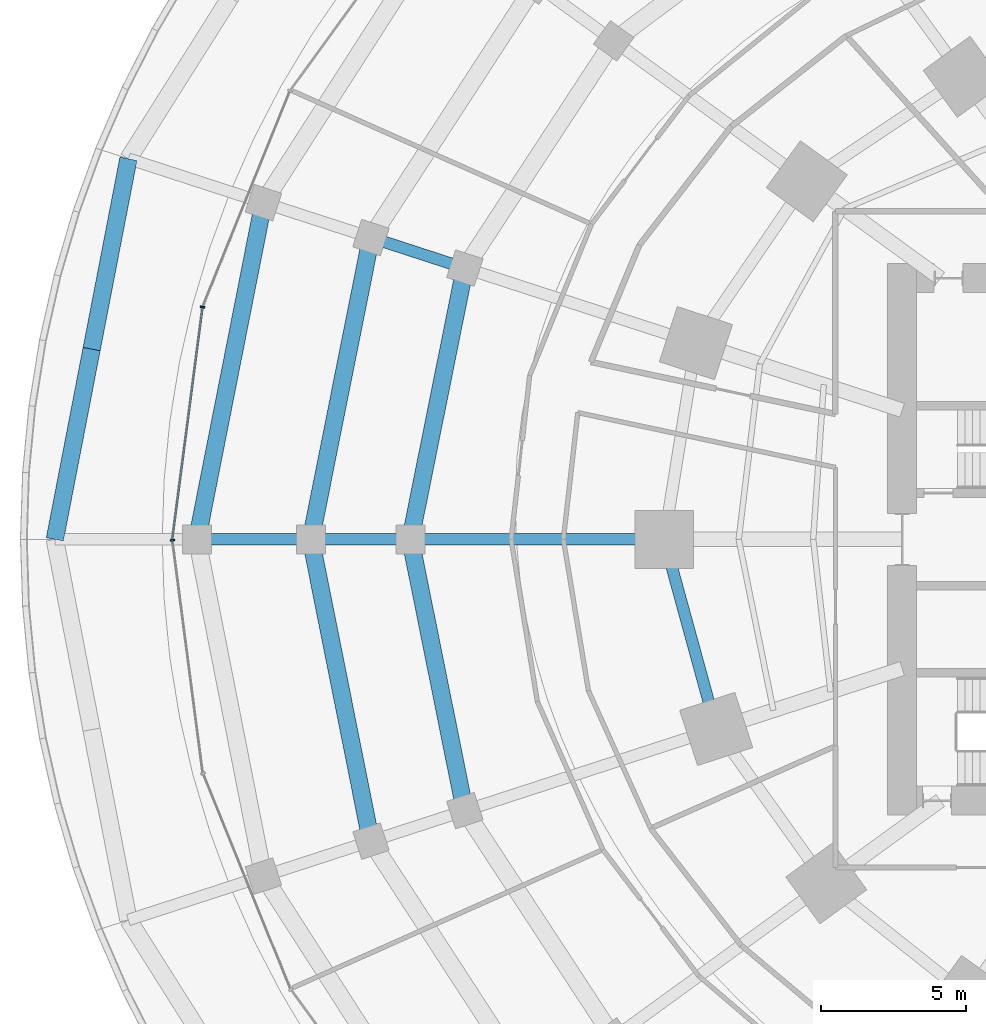
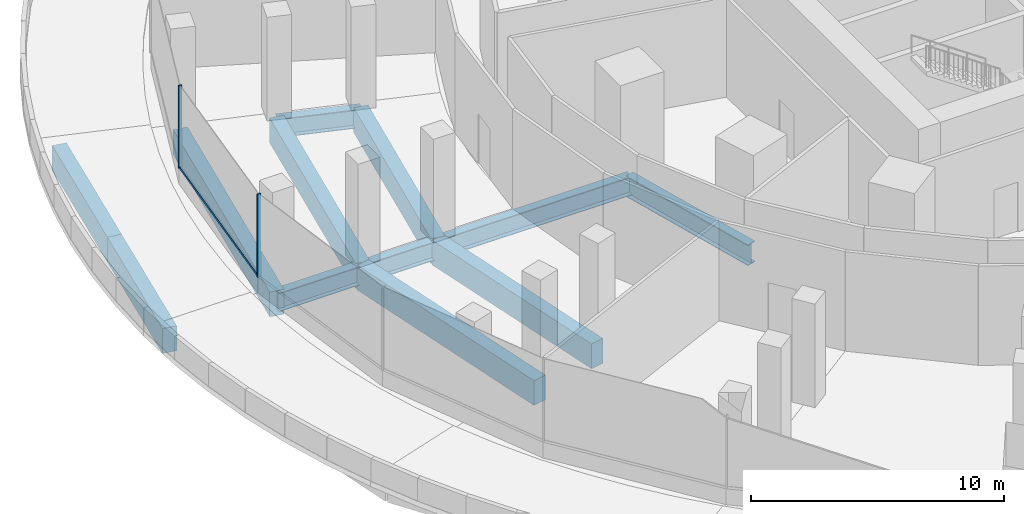
# One storey, part 8 of 31: 12 beams, 3 members, 2 elements without a shape of their own.
"""IFC4 building model written with IfcOpenShell, lengths in metres."""

from ifc_helpers import new_model, si_unit, direction, frame, origin, origin_2d, place, context, subcontext, project, spatial, rectangle, i_section, extrude, material, material_profile, profile_set, type_object, element, aggregate, save


model = new_model("IFC4")

# Units and contexts
model_context = context("Model", 3, precision=1e-05, world=origin(), true_north=direction((0.0, 1.0)))
body_context = subcontext(model_context, "Body", "Model", "MODEL_VIEW")
ifc_project = project(units=[si_unit("LENGTHUNIT", "METRE"), si_unit("AREAUNIT", "SQUARE_METRE"), si_unit("VOLUMEUNIT", "CUBIC_METRE"), si_unit("PLANEANGLEUNIT", "RADIAN"), si_unit("MASSUNIT", "GRAM", prefix="KILO")], contexts=[model_context])

# Site, building, storey
site_placement = place(None, origin())
site = spatial("IfcSite", under=ifc_project, at=site_placement, CompositionType="ELEMENT")
building_placement = place(site_placement, origin())
building = spatial("IfcBuilding", under=site, at=building_placement, Name="Marramba Exchange Tower", CompositionType="ELEMENT")
storey_placement = place(building_placement, frame((0.0, 0.0, 5.60009765625)))
storey = spatial("IfcBuildingStorey", under=building, at=storey_placement, Name="L01", CompositionType="ELEMENT", Elevation=5.60009765625)

# Beams
ifc_material_1 = material(Name="Concrete N50", Category="concrete")
ifc_material_profile_1 = material_profile(ifc_material_1, rectangle(XDim=0.60009765625, YDim=1.199951171875, at=origin_2d()), Name="RC 600x1200")
ifc_profile_set_1 = profile_set([ifc_material_profile_1], Name="Concrete N50")
beam_type_1 = type_object("IfcBeamType", Name="Edge beam RC 600x1200 N50", PredefinedType="SPANDREL", material=ifc_profile_set_1)
for number, where, z_axis, x_axis, name in (
    (1, (-40.36328125, 13.11474609375, -0.85009765625), (-0.189898017432, -0.981803821023, 0.0), (0.981803821023, -0.189898017432, 0.0), "Edge beam L01 P0C10 half 1"),
    (2, (-41.631591796875, 6.557373046875, -0.85009765625), (-0.189898017432, -0.981803821023, 0.0), (0.981803821023, -0.189898017432, 0.0), "Edge beam L01 P0C10 half 2"),
):
    element("IfcBeam", number, at=place(storey_placement, frame(where, z_axis=z_axis, x_axis=x_axis)), inside=storey, type_object=beam_type_1, Name=name, PredefinedType="SPANDREL", context=body_context, shape_type="SweptSolid", body=[
        extrude(rectangle(XDim=0.60009765625, YDim=1.199951171875, at=origin_2d()), origin(), (0.0, 0.0, 1.0), 6.678955078125),
    ])
beam_1_placement = place(storey_placement, frame((-35.712158203125, 11.603515625, -0.800048828125), z_axis=(-0.19344375153, -0.981111367274, 0.0), x_axis=(0.981111367274, -0.19344375153, 0.0)))
element("IfcBeam", 3, at=beam_1_placement, inside=storey, type_object=beam_type_1, Name="Edge beam L01 P1C10", PredefinedType="SPANDREL", context=body_context, shape_type="SweptSolid", body=[
    extrude(rectangle(XDim=0.60009765625, YDim=1.199951171875, at=origin_2d()), origin(), (0.0, 0.0, 1.0), 11.826904296875),
])
for number, where, z_axis, x_axis, name in (
    (4, (-32.005126953125, 10.399169921875, -0.800048828125), (-0.195673363142, -0.980669126136, 0.0), (0.980669126136, -0.195673363142, 0.0), "Edge beam L01 P2C10"),
    (5, (-34.080078125, 0.0, -0.800048828125), (0.195673363142, -0.980669126136, 0.0), (0.980669126136, 0.195673363142, 0.0), "Edge beam L01 P2C11"),
):
    element("IfcBeam", number, at=place(storey_placement, frame(where, z_axis=z_axis, x_axis=x_axis)), inside=storey, type_object=beam_type_1, Name=name, PredefinedType="SPANDREL", context=body_context, shape_type="SweptSolid", body=[
        extrude(rectangle(XDim=0.60009765625, YDim=1.199951171875, at=origin_2d()), origin(), (0.0, 0.0, 1.0), 10.604248046875),
    ])
for number, where, z_axis, x_axis, name in (
    (6, (-28.770263671875, 9.34814453125, -0.800048828125), (-0.197125420847, -0.980378278246, 0.0), (0.980378278246, -0.197125420847, 0.0), "Edge beam L01 P3C10"),
    (7, (-30.64990234375, 0.0, -0.800048828125), (0.197125420847, -0.980378278246, 0.0), (0.980378278246, 0.197125420847, 0.0), "Edge beam L01 P3C11"),
):
    element("IfcBeam", number, at=place(storey_placement, frame(where, z_axis=z_axis, x_axis=x_axis)), inside=storey, type_object=beam_type_1, Name=name, PredefinedType="SPANDREL", context=body_context, shape_type="SweptSolid", body=[
        extrude(rectangle(XDim=0.60009765625, YDim=1.199951171875, at=origin_2d()), origin(), (0.0, 0.0, 1.0), 9.53515625),
    ])

# Curtain wall, member
ifc_material_2 = material(Name="Aluminium framing, bronze anodised", Category="aluminium")
curtain_wall_type = type_object("IfcCurtainWallType", Name="Podium ribbon curtain wall", PredefinedType="USERDEFINED", material=ifc_material_2)
curtain_wall_1_placement = place(storey_placement, origin())
curtain_wall_1 = element("IfcCurtainWall", 8, at=curtain_wall_1_placement, inside=storey, type_object=curtain_wall_type, Name="Curtain wall CW2 L01 F11-F15", ObjectType="RIBBON CURTAIN WALL", PredefinedType="USERDEFINED")
ifc_material_3 = material(Name="Aluminium mullion, bronze anodised", Category="aluminium")
ifc_material_profile_2 = material_profile(ifc_material_3, rectangle(XDim=0.159912109375, YDim=0.06005859375, at=origin_2d()), Name="CW2 mullion 60x160")
ifc_profile_set_2 = profile_set([ifc_material_profile_2], Name="Aluminium mullion, bronze anodised")
member_type_1 = type_object("IfcMemberType", Name="Podium ribbon curtain wall mullion", PredefinedType="MULLION", material=ifc_profile_set_2)
member_1_placement = place(storey_placement, frame((-37.804931640625, 8.005126953125, 0.7998046875), z_axis=(0.0, 0.0, 1.0), x_axis=(0.991586925399, -0.129442533112, 0.0)))
member_1 = element("IfcMember", 9, at=member_1_placement, type_object=member_type_1, Name="CW2 mullion 1", PredefinedType="MULLION", context=body_context, shape_type="SweptSolid", body=[
    extrude(rectangle(XDim=0.159912109375, YDim=0.06005859375, at=origin_2d()), origin(), (0.0, 0.0, 1.0), 4.0),
])

curtain_wall_2_placement = place(storey_placement, origin())
curtain_wall_2 = element("IfcCurtainWall", 10, at=curtain_wall_2_placement, inside=storey, type_object=curtain_wall_type, Name="Curtain wall CW2 L01 F16-F20", ObjectType="RIBBON CURTAIN WALL", PredefinedType="USERDEFINED")
member_2_placement = place(storey_placement, frame((-38.84619140625, -0.02978515625, 0.7998046875), z_axis=(0.0, 0.0, 1.0), x_axis=(0.991586925399, 0.129442533112, 0.0)))
member_2 = element("IfcMember", 11, at=member_2_placement, type_object=member_type_1, Name="CW2 mullion 1", PredefinedType="MULLION", context=body_context, shape_type="SweptSolid", body=[
    extrude(rectangle(XDim=0.159912109375, YDim=0.06005859375, at=origin_2d()), origin(), (0.0, 0.0, 1.0), 4.0),
])
aggregate(curtain_wall_2, [member_2])

# Member
ifc_material_4 = material(Name="Aluminium transom, bronze anodised", Category="aluminium")
ifc_material_profile_3 = material_profile(ifc_material_4, rectangle(XDim=0.06005859375, YDim=0.1201171875, at=origin_2d()), Name="CW2 transom 60x120")
ifc_profile_set_3 = profile_set([ifc_material_profile_3], Name="Aluminium transom, bronze anodised")
member_type_2 = type_object("IfcMemberType", Name="Podium ribbon curtain wall transom", PredefinedType="USERDEFINED", material=ifc_profile_set_3)
member_3_placement = place(storey_placement, frame((-37.808837890625, 7.975341796875, 0.829833984375), z_axis=(-0.129461164566, -0.991584493056, 0.0), x_axis=(0.991584493056, -0.129461164566, 0.0)))
member_3 = element("IfcMember", 12, at=member_3_placement, type_object=member_type_2, Name="CW2 sill transom", ObjectType="TRANSOM", PredefinedType="USERDEFINED", context=body_context, shape_type="SweptSolid", body=[
    extrude(rectangle(XDim=0.06005859375, YDim=0.1201171875, at=origin_2d()), origin(), (0.0, 0.0, 1.0), 8.04296875),
])

aggregate(curtain_wall_1, [member_1, member_3])

# Beams
ifc_material_5 = material(Name="Steel AS/NZS 3679.2 grade 300", Category="steel")
ifc_material_profile_4 = material_profile(ifc_material_5, i_section(OverallWidth=0.39990234375, OverallDepth=0.89990234375, WebThickness=0.01611328125, FlangeThickness=0.031982421875, at=origin_2d()), Name="900WB282")
ifc_profile_set_4 = profile_set([ifc_material_profile_4], Name="Steel AS/NZS 3679.2 grade 300")
beam_type_2 = type_object("IfcBeamType", Name="Radial girder 900WB282", PredefinedType="BEAM", material=ifc_profile_set_4)
beam_2_placement = place(storey_placement, frame((-38.0, 0.0, -0.650146484375), z_axis=(1.0, 0.0, 0.0), x_axis=(0.0, 1.0, 0.0)))
element("IfcBeam", 13, at=beam_2_placement, inside=storey, type_object=beam_type_2, Name="Radial girder L01 P1C11", PredefinedType="BEAM", context=body_context, shape_type="SweptSolid", body=[
    extrude(i_section(OverallWidth=0.39990234375, OverallDepth=0.89990234375, WebThickness=0.01611328125, FlangeThickness=0.031982421875, at=origin_2d()), origin(), (0.0, 0.0, 1.0), 3.919921875),
])
beam_3_placement = place(storey_placement, frame((-32.005126953125, 10.399169921875, -0.650146484375), z_axis=(0.951060439376, -0.309004920114, 0.0), x_axis=(0.309004920114, 0.951060439376, 0.0)))
element("IfcBeam", 14, at=beam_3_placement, inside=storey, type_object=beam_type_2, Name="Radial girder L01 P2C10", PredefinedType="BEAM", context=body_context, shape_type="SweptSolid", body=[
    extrude(i_section(OverallWidth=0.39990234375, OverallDepth=0.89990234375, WebThickness=0.01611328125, FlangeThickness=0.031982421875, at=origin_2d()), origin(), (0.0, 0.0, 1.0), 3.4013671875),
])
beam_4_placement = place(storey_placement, frame((-34.080078125, 0.0, -0.650146484375), z_axis=(1.0, 0.0, 0.0), x_axis=(0.0, 1.0, 0.0)))
element("IfcBeam", 15, at=beam_4_placement, inside=storey, type_object=beam_type_2, Name="Radial girder L01 P2C11", PredefinedType="BEAM", context=body_context, shape_type="SweptSolid", body=[
    extrude(i_section(OverallWidth=0.39990234375, OverallDepth=0.89990234375, WebThickness=0.01611328125, FlangeThickness=0.031982421875, at=origin_2d()), origin(), (0.0, 0.0, 1.0), 3.43017578125),
])
beam_5_placement = place(storey_placement, frame((-30.64990234375, 0.0, -0.650146484375), z_axis=(1.0, 0.0, 0.0), x_axis=(0.0, 1.0, 0.0)))
element("IfcBeam", 16, at=beam_5_placement, inside=storey, type_object=beam_type_2, Name="Radial girder L01 P3C11", PredefinedType="BEAM", context=body_context, shape_type="SweptSolid", body=[
    extrude(i_section(OverallWidth=0.39990234375, OverallDepth=0.89990234375, WebThickness=0.01611328125, FlangeThickness=0.031982421875, at=origin_2d()), origin(), (0.0, 0.0, 1.0), 8.75),
])
ifc_material_profile_5 = material_profile(ifc_material_5, i_section(OverallWidth=0.39990234375, OverallDepth=1.0, WebThickness=0.01611328125, FlangeThickness=0.031982421875, at=origin_2d()), Name="1000WB322")
ifc_profile_set_5 = profile_set([ifc_material_profile_5], Name="Steel AS/NZS 3679.2 grade 300")
beam_type_3 = type_object("IfcBeamType", Name="Ring beam 1000WB322", PredefinedType="SPANDREL", material=ifc_profile_set_5)
beam_6_placement = place(storey_placement, frame((-21.89990234375, 0.0, -0.7001953125), z_axis=(0.264291166956, -0.964442937176, 0.0), x_axis=(0.964442937176, 0.264291166956, 0.0)))
element("IfcBeam", 17, at=beam_6_placement, inside=storey, type_object=beam_type_3, Name="Ring beam L01 TC11-TC12", PredefinedType="SPANDREL", context=body_context, shape_type="SweptSolid", body=[
    extrude(i_section(OverallWidth=0.39990234375, OverallDepth=1.0, WebThickness=0.01611328125, FlangeThickness=0.031982421875, at=origin_2d()), origin(), (0.0, 0.0, 1.0), 6.77490234375),
])

save(model, "model.ifc")
